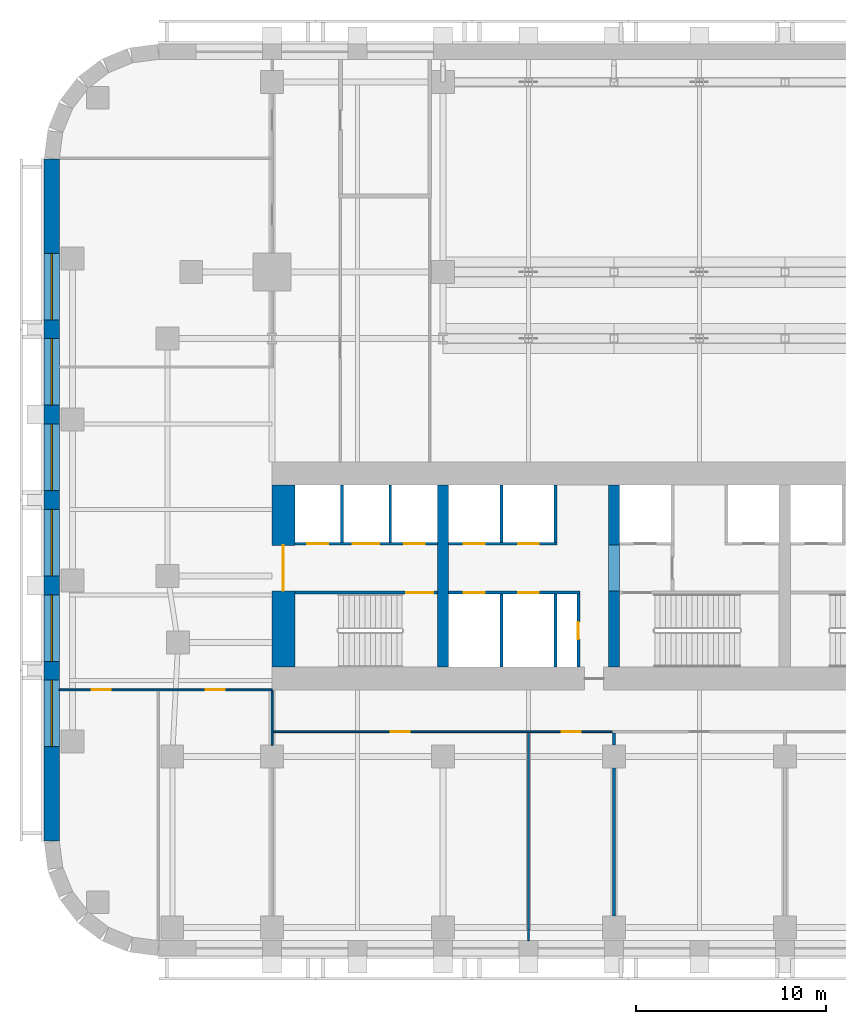
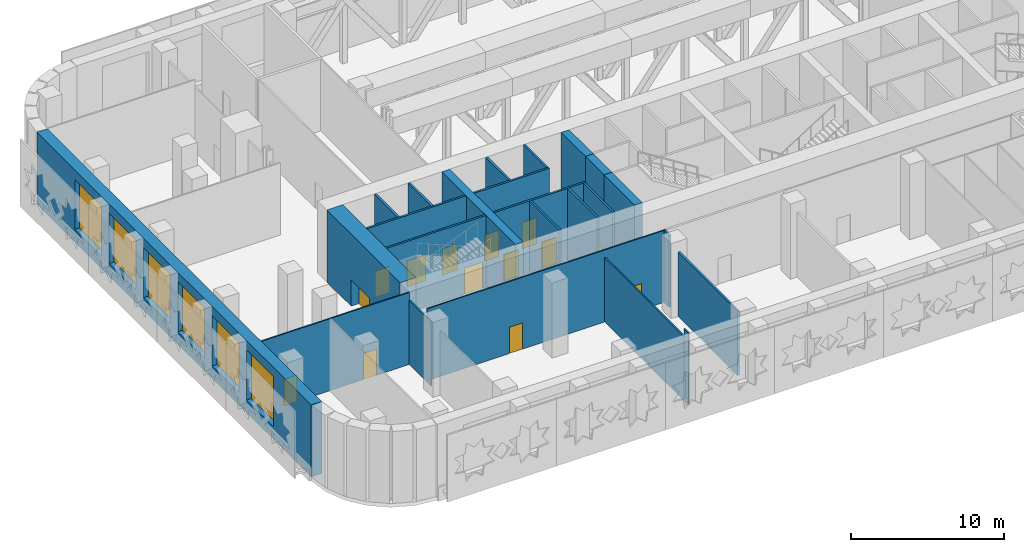
# One storey, part 5 of 15: 24 walls, 14 doors, 6 windows, 20 openings.
"""IFC4 building model written with IfcOpenShell, lengths in metres."""

from ifc_helpers import new_model, si_unit, direction, frame, frame_2d, origin, place, context, subcontext, project, spatial, rectangle, extrude, material, layer, layer_set, type_object, element, fill, save


model = new_model("IFC4")

# Units and contexts
model_context = context("Model", 3, precision=1e-05, world=origin(), true_north=direction((0.0, 1.0)))
body_context = subcontext(model_context, "Body", "Model", "MODEL_VIEW")
ifc_project = project(units=[si_unit("LENGTHUNIT", "METRE"), si_unit("AREAUNIT", "SQUARE_METRE"), si_unit("VOLUMEUNIT", "CUBIC_METRE"), si_unit("PLANEANGLEUNIT", "RADIAN"), si_unit("MASSUNIT", "GRAM", prefix="KILO")], contexts=[model_context])

# Site, building, storey
site_placement = place(None, origin())
site = spatial("IfcSite", under=ifc_project, at=site_placement, CompositionType="ELEMENT")
building_placement = place(site_placement, origin())
building = spatial("IfcBuilding", under=site, at=building_placement, Name="Zellij Exchange Tower", CompositionType="ELEMENT")
storey_placement = place(building_placement, frame((0.0, 0.0, 33.0)))
storey = spatial("IfcBuildingStorey", under=building, at=storey_placement, Name="L05", CompositionType="ELEMENT", Elevation=33.0)

# Walls
ifc_material_1 = material(Name="Concrete C70/85", Category="concrete")
ifc_layer_1 = layer(ifc_material_1, 0.60009765625)
ifc_layer_set_1 = layer_set([ifc_layer_1], Name="Concrete C70/85")
wall_type_1 = type_object("IfcWallType", Name="CORE-CW 600 C70/85", PredefinedType="SHEAR", material=ifc_layer_set_1)
wall_1_placement = place(storey_placement, frame((-18.0, -12.800048828125, 0.0), z_axis=(0.0, 0.0, 1.0), x_axis=(0.0, 1.0, 0.0)))
element("IfcWall", 1, at=wall_1_placement, inside=storey, type_object=wall_type_1, Name="Core cross wall x -18 L05", PredefinedType="SHEAR", context=body_context, shape_type="SweptSolid", body=[
    extrude(rectangle(XDim=9.60009765625, YDim=0.60009765625, at=frame_2d((4.800048828125, 0.0))), origin(), (0.0, 0.0, 1.0), 5.75),
])
wall_2_placement = place(storey_placement, frame((-9.0, -12.800048828125, 0.0), z_axis=(0.0, 0.0, 1.0), x_axis=(0.0, 1.0, 0.0)))
element("IfcWall", 2, at=wall_2_placement, inside=storey, type_object=wall_type_1, Name="Core cross wall pier x -9 a L05", PredefinedType="SHEAR", context=body_context, shape_type="SweptSolid", body=[
    extrude(rectangle(XDim=4.0, YDim=0.60009765625, at=frame_2d((2.0, 0.0))), origin(), (0.0, 0.0, 1.0), 5.75),
])
wall_3_placement = place(storey_placement, frame((-9.0, -6.375, 0.0), z_axis=(0.0, 0.0, 1.0), x_axis=(0.0, 1.0, 0.0)))
element("IfcWall", 3, at=wall_3_placement, inside=storey, type_object=wall_type_1, Name="Core cross wall pier x -9 b L05", PredefinedType="SHEAR", context=body_context, shape_type="SweptSolid", body=[
    extrude(rectangle(XDim=3.175048828125, YDim=0.60009765625, at=frame_2d((1.58740234375, 0.0))), origin(), (0.0, 0.0, 1.0), 5.75),
])
wall_4_placement = place(storey_placement, frame((-9.0, -8.800048828125, 3.60009765625), z_axis=(0.0, 0.0, 1.0), x_axis=(0.0, 1.0, 0.0)))
element("IfcWall", 4, at=wall_4_placement, inside=storey, type_object=wall_type_1, Name="Core cross wall over opening x -9 L05", PredefinedType="SHEAR", context=body_context, shape_type="SweptSolid", body=[
    extrude(rectangle(XDim=2.425048828125, YDim=0.60009765625, at=frame_2d((1.21240234375, 0.0))), origin(), (0.0, 0.0, 1.0), 2.14990234375),
])

# Wall, opening, door
ifc_material_2 = material(Name="Gypsum board partition")
ifc_layer_2 = layer(ifc_material_2, 0.14990234375)
ifc_layer_set_2 = layer_set([ifc_layer_2], Name="Gypsum board partition")
wall_type_2 = type_object("IfcWallType", Name="CORE-PW 150 Lift lobby wall", PredefinedType="PARTITIONING", material=ifc_layer_set_2)
wall_5_placement = place(storey_placement, frame((-10.875, -12.800048828125, 0.0), z_axis=(0.0, 0.0, 1.0), x_axis=(0.0, 1.0, 0.0)))
wall_5 = element("IfcWall", 5, at=wall_5_placement, inside=storey, type_object=wall_type_2, Name="Lift lobby wall L05", PredefinedType="PARTITIONING", context=body_context, shape_type="SweptSolid", body=[
    extrude(rectangle(XDim=3.85009765625, YDim=0.14990234375, at=frame_2d((1.925048828125, 0.0))), origin(), (0.0, 0.0, 1.0), 5.75),
])
opening_1_placement = place(wall_5_placement, frame((1.47509765625, 0.0, 0.0)))
opening_1 = element("IfcOpeningElement", 6, at=opening_1_placement, cuts=wall_5, Name="Opening CA-05.10", PredefinedType="OPENING", context=body_context, shape_type="SweptSolid", body=[
    extrude(rectangle(XDim=0.89990234375, YDim=2.10009765625, at=frame_2d((0.449951171875, 1.050048828125))), frame((0.0, 0.0869140625, 0.0), z_axis=(0.0, -1.0, 0.0), x_axis=(1.0, 0.0, 0.0)), (0.0, 0.0, 1.0), 0.173828125),
])
ifc_material_3 = material(Name="Hollow metal fire door")
door_type_1 = type_object("IfcDoorType", Name="CORE-D RD Riser door 900x2100 1.5 HR", OperationType="NOTDEFINED", PredefinedType="DOOR", material=ifc_material_3)
door_1_placement = place(opening_1_placement, origin())
door_1 = element("IfcDoor", 7, at=door_1_placement, inside=storey, type_object=door_type_1, Name="Riser door CA-05.10", OperationType="SINGLE_SWING_RIGHT", OverallHeight=2.10009765625, OverallWidth=0.89990234375, PredefinedType="DOOR", context=body_context, shape_type="SweptSolid", body=[
    extrude(rectangle(XDim=0.89990234375, YDim=2.10009765625, at=frame_2d((0.449951171875, 1.050048828125))), frame((0.0, 0.02490234375, 0.0), z_axis=(0.0, -1.0, 0.0), x_axis=(1.0, 0.0, 0.0)), (0.0, 0.0, 1.0), 0.050048828125),
])
fill(opening_1, door_1)

# Walls
ifc_material_4 = material(Name="Gypsum shaft wall system")
ifc_layer_3 = layer(ifc_material_4, 0.14990234375)
ifc_layer_set_3 = layer_set([ifc_layer_3], Name="Gypsum shaft wall system")
wall_type_3 = type_object("IfcWallType", Name="CORE-PW 150 Lift shaft wall", PredefinedType="PARTITIONING", material=ifc_layer_set_3)
for number, where, z_axis, x_axis, name in (
    (8, (-20.77490234375, -6.22509765625, 0.0), (0.0, 0.0, 1.0), (0.0, 1.0, 0.0), "Lift shaft wall L05"),
    (9, (-23.324951171875, -6.22509765625, 0.0), (0.0, 0.0, 1.0), (0.0, 1.0, 0.0), "Lift shaft wall L05"),
    (10, (-12.074951171875, -6.22509765625, 0.0), (0.0, 0.0, 1.0), (0.0, 1.0, 0.0), "Lift shaft wall L05"),
    (11, (-14.925048828125, -6.22509765625, 0.0), (0.0, 0.0, 1.0), (0.0, 1.0, 0.0), "Lift shaft wall L05"),
):
    element("IfcWall", number, at=place(storey_placement, frame(where, z_axis=z_axis, x_axis=x_axis)), inside=storey, type_object=wall_type_3, Name=name, PredefinedType="PARTITIONING", context=body_context, shape_type="SweptSolid", body=[
        extrude(rectangle(XDim=3.025146484375, YDim=0.14990234375, at=frame_2d((1.5126953125, 0.0))), origin(), (0.0, 0.0, 1.0), 5.75),
    ])
for number, where, z_axis, x_axis, name in (
    (12, (-12.074951171875, -12.800048828125, 0.0), (0.0, 0.0, 1.0), (0.0, 1.0, 0.0), "Lift shaft wall L05"),
    (13, (-14.925048828125, -12.800048828125, 0.0), (0.0, 0.0, 1.0), (0.0, 1.0, 0.0), "Lift shaft wall L05"),
):
    element("IfcWall", number, at=place(storey_placement, frame(where, z_axis=z_axis, x_axis=x_axis)), inside=storey, type_object=wall_type_3, Name=name, PredefinedType="PARTITIONING", context=body_context, shape_type="SweptSolid", body=[
        extrude(rectangle(XDim=3.85009765625, YDim=0.14990234375, at=frame_2d((1.925048828125, 0.0))), origin(), (0.0, 0.0, 1.0), 5.75),
    ])

# Wall, openings, doors
wall_6_placement = place(storey_placement, frame((-25.800048828125, -6.300048828125, 0.0), z_axis=(0.0, 0.0, 1.0), x_axis=(1.0, 0.0, 0.0)))
wall_6 = element("IfcWall", 14, at=wall_6_placement, inside=storey, type_object=wall_type_3, Name="Lift shaft wall L05", PredefinedType="PARTITIONING", context=body_context, shape_type="SweptSolid", body=[
    extrude(rectangle(XDim=7.5, YDim=0.14990234375, at=frame_2d((3.75, 0.0))), origin(), (0.0, 0.0, 1.0), 5.75),
])
opening_2_placement = place(wall_6_placement, frame((0.64990234375, 0.0, 0.0)))
opening_2 = element("IfcOpeningElement", 15, at=opening_2_placement, cuts=wall_6, Name="Opening CA-05.02", PredefinedType="OPENING", context=body_context, shape_type="SweptSolid", body=[
    extrude(rectangle(XDim=1.10009765625, YDim=2.10009765625, at=frame_2d((0.550048828125, 1.050048828125))), frame((0.0, 0.0869140625, 0.0), z_axis=(0.0, -1.0, 0.0), x_axis=(1.0, 0.0, 0.0)), (0.0, 0.0, 1.0), 0.173828125),
])
opening_3_placement = place(wall_6_placement, frame((3.050048828125, 0.0, 0.0)))
opening_3 = element("IfcOpeningElement", 16, at=opening_3_placement, cuts=wall_6, Name="Opening CA-05.03", PredefinedType="OPENING", context=body_context, shape_type="SweptSolid", body=[
    extrude(rectangle(XDim=1.39990234375, YDim=2.10009765625, at=frame_2d((0.699951171875, 1.050048828125))), frame((0.0, 0.0869140625, 0.0), z_axis=(0.0, -1.0, 0.0), x_axis=(1.0, 0.0, 0.0)), (0.0, 0.0, 1.0), 0.173828125),
])
opening_4_placement = place(wall_6_placement, frame((5.75, 0.0, 0.0)))
opening_4 = element("IfcOpeningElement", 17, at=opening_4_placement, cuts=wall_6, Name="Opening CA-05.04", PredefinedType="OPENING", context=body_context, shape_type="SweptSolid", body=[
    extrude(rectangle(XDim=1.10009765625, YDim=2.10009765625, at=frame_2d((0.550048828125, 1.050048828125))), frame((0.0, 0.0869140625, 0.0), z_axis=(0.0, -1.0, 0.0), x_axis=(1.0, 0.0, 0.0)), (0.0, 0.0, 1.0), 0.173828125),
])
door_type_2 = type_object("IfcDoorType", Name="CORE-D LD Lift landing door 1100x2100 1.5 HR", OperationType="NOTDEFINED", PredefinedType="DOOR", material=ifc_material_3)
door_2_placement = place(opening_2_placement, origin())
door_2 = element("IfcDoor", 18, at=door_2_placement, inside=storey, type_object=door_type_2, Name="Lift landing door CA-05.02", OperationType="SLIDING_TO_RIGHT", OverallHeight=2.10009765625, OverallWidth=1.10009765625, PredefinedType="DOOR", context=body_context, shape_type="SweptSolid", body=[
    extrude(rectangle(XDim=1.10009765625, YDim=2.10009765625, at=frame_2d((0.550048828125, 1.050048828125))), frame((0.0, 0.02490234375, 0.0), z_axis=(0.0, -1.0, 0.0), x_axis=(1.0, 0.0, 0.0)), (0.0, 0.0, 1.0), 0.050048828125),
])
fill(opening_2, door_2)
door_3_placement = place(opening_4_placement, origin())
door_3 = element("IfcDoor", 19, at=door_3_placement, inside=storey, type_object=door_type_2, Name="Lift landing door CA-05.04", OperationType="SLIDING_TO_RIGHT", OverallHeight=2.10009765625, OverallWidth=1.10009765625, PredefinedType="DOOR", context=body_context, shape_type="SweptSolid", body=[
    extrude(rectangle(XDim=1.10009765625, YDim=2.10009765625, at=frame_2d((0.550048828125, 1.050048828125))), frame((0.0, 0.02490234375, 0.0), z_axis=(0.0, -1.0, 0.0), x_axis=(1.0, 0.0, 0.0)), (0.0, 0.0, 1.0), 0.050048828125),
])
fill(opening_4, door_3)
door_type_3 = type_object("IfcDoorType", Name="CORE-D LD2 Service lift landing door 1400x2100 1.5 HR", OperationType="NOTDEFINED", PredefinedType="DOOR", material=ifc_material_3)
door_4_placement = place(opening_3_placement, origin())
door_4 = element("IfcDoor", 20, at=door_4_placement, inside=storey, type_object=door_type_3, Name="Service lift landing door CA-05.03", OperationType="SLIDING_TO_LEFT", OverallHeight=2.10009765625, OverallWidth=1.39990234375, PredefinedType="DOOR", context=body_context, shape_type="SweptSolid", body=[
    extrude(rectangle(XDim=1.39990234375, YDim=2.10009765625, at=frame_2d((0.699951171875, 1.050048828125))), frame((0.0, 0.02490234375, 0.0), z_axis=(0.0, -1.0, 0.0), x_axis=(1.0, 0.0, 0.0)), (0.0, 0.0, 1.0), 0.050048828125),
])
fill(opening_3, door_4)

wall_7_placement = place(storey_placement, frame((-17.699951171875, -6.300048828125, 0.0), z_axis=(0.0, 0.0, 1.0), x_axis=(1.0, 0.0, 0.0)))
wall_7 = element("IfcWall", 21, at=wall_7_placement, inside=storey, type_object=wall_type_3, Name="Lift shaft wall L05", PredefinedType="PARTITIONING", context=body_context, shape_type="SweptSolid", body=[
    extrude(rectangle(XDim=5.699951171875, YDim=0.14990234375, at=frame_2d((2.85009765625, 0.0))), origin(), (0.0, 0.0, 1.0), 5.75),
])
opening_5_placement = place(wall_7_placement, frame((0.800048828125, 0.0, 0.0)))
opening_5 = element("IfcOpeningElement", 22, at=opening_5_placement, cuts=wall_7, Name="Opening CA-05.07", PredefinedType="OPENING", context=body_context, shape_type="SweptSolid", body=[
    extrude(rectangle(XDim=1.10009765625, YDim=2.10009765625, at=frame_2d((0.550048828125, 1.050048828125))), frame((0.0, 0.0869140625, 0.0), z_axis=(0.0, -1.0, 0.0), x_axis=(1.0, 0.0, 0.0)), (0.0, 0.0, 1.0), 0.173828125),
])
opening_6_placement = place(wall_7_placement, frame((3.64990234375, 0.0, 0.0)))
opening_6 = element("IfcOpeningElement", 23, at=opening_6_placement, cuts=wall_7, Name="Opening CA-05.09", PredefinedType="OPENING", context=body_context, shape_type="SweptSolid", body=[
    extrude(rectangle(XDim=1.10009765625, YDim=2.10009765625, at=frame_2d((0.550048828125, 1.050048828125))), frame((0.0, 0.0869140625, 0.0), z_axis=(0.0, -1.0, 0.0), x_axis=(1.0, 0.0, 0.0)), (0.0, 0.0, 1.0), 0.173828125),
])
door_5_placement = place(opening_5_placement, origin())
door_5 = element("IfcDoor", 24, at=door_5_placement, inside=storey, type_object=door_type_2, Name="Lift landing door CA-05.07", OperationType="SLIDING_TO_LEFT", OverallHeight=2.10009765625, OverallWidth=1.10009765625, PredefinedType="DOOR", context=body_context, shape_type="SweptSolid", body=[
    extrude(rectangle(XDim=1.10009765625, YDim=2.10009765625, at=frame_2d((0.550048828125, 1.050048828125))), frame((0.0, 0.02490234375, 0.0), z_axis=(0.0, -1.0, 0.0), x_axis=(1.0, 0.0, 0.0)), (0.0, 0.0, 1.0), 0.050048828125),
])
fill(opening_5, door_5)
door_6_placement = place(opening_6_placement, origin())
door_6 = element("IfcDoor", 25, at=door_6_placement, inside=storey, type_object=door_type_2, Name="Lift landing door CA-05.09", OperationType="SLIDING_TO_LEFT", OverallHeight=2.10009765625, OverallWidth=1.10009765625, PredefinedType="DOOR", context=body_context, shape_type="SweptSolid", body=[
    extrude(rectangle(XDim=1.10009765625, YDim=2.10009765625, at=frame_2d((0.550048828125, 1.050048828125))), frame((0.0, 0.02490234375, 0.0), z_axis=(0.0, -1.0, 0.0), x_axis=(1.0, 0.0, 0.0)), (0.0, 0.0, 1.0), 0.050048828125),
])
fill(opening_6, door_6)

wall_8_placement = place(storey_placement, frame((-17.699951171875, -8.875, 0.0), z_axis=(0.0, 0.0, 1.0), x_axis=(1.0, 0.0, 0.0)))
wall_8 = element("IfcWall", 26, at=wall_8_placement, inside=storey, type_object=wall_type_3, Name="Lift shaft wall L05", PredefinedType="PARTITIONING", context=body_context, shape_type="SweptSolid", body=[
    extrude(rectangle(XDim=6.89990234375, YDim=0.14990234375, at=frame_2d((3.449951171875, 0.0))), origin(), (0.0, 0.0, 1.0), 5.75),
])
opening_7_placement = place(wall_8_placement, frame((0.800048828125, 0.0, 0.0)))
opening_7 = element("IfcOpeningElement", 27, at=opening_7_placement, cuts=wall_8, Name="Opening CA-05.06", PredefinedType="OPENING", context=body_context, shape_type="SweptSolid", body=[
    extrude(rectangle(XDim=1.10009765625, YDim=2.10009765625, at=frame_2d((0.550048828125, 1.050048828125))), frame((0.0, 0.0869140625, 0.0), z_axis=(0.0, -1.0, 0.0), x_axis=(1.0, 0.0, 0.0)), (0.0, 0.0, 1.0), 0.173828125),
])
opening_8_placement = place(wall_8_placement, frame((3.64990234375, 0.0, 0.0)))
opening_8 = element("IfcOpeningElement", 28, at=opening_8_placement, cuts=wall_8, Name="Opening CA-05.08", PredefinedType="OPENING", context=body_context, shape_type="SweptSolid", body=[
    extrude(rectangle(XDim=1.10009765625, YDim=2.10009765625, at=frame_2d((0.550048828125, 1.050048828125))), frame((0.0, 0.0869140625, 0.0), z_axis=(0.0, -1.0, 0.0), x_axis=(1.0, 0.0, 0.0)), (0.0, 0.0, 1.0), 0.173828125),
])
door_7_placement = place(opening_7_placement, origin())
door_7 = element("IfcDoor", 29, at=door_7_placement, inside=storey, type_object=door_type_2, Name="Lift landing door CA-05.06", OperationType="SLIDING_TO_RIGHT", OverallHeight=2.10009765625, OverallWidth=1.10009765625, PredefinedType="DOOR", context=body_context, shape_type="SweptSolid", body=[
    extrude(rectangle(XDim=1.10009765625, YDim=2.10009765625, at=frame_2d((0.550048828125, 1.050048828125))), frame((0.0, 0.02490234375, 0.0), z_axis=(0.0, -1.0, 0.0), x_axis=(1.0, 0.0, 0.0)), (0.0, 0.0, 1.0), 0.050048828125),
])
fill(opening_7, door_7)
door_8_placement = place(opening_8_placement, origin())
door_8 = element("IfcDoor", 30, at=door_8_placement, inside=storey, type_object=door_type_2, Name="Lift landing door CA-05.08", OperationType="SLIDING_TO_RIGHT", OverallHeight=2.10009765625, OverallWidth=1.10009765625, PredefinedType="DOOR", context=body_context, shape_type="SweptSolid", body=[
    extrude(rectangle(XDim=1.10009765625, YDim=2.10009765625, at=frame_2d((0.550048828125, 1.050048828125))), frame((0.0, 0.02490234375, 0.0), z_axis=(0.0, -1.0, 0.0), x_axis=(1.0, 0.0, 0.0)), (0.0, 0.0, 1.0), 0.050048828125),
])
fill(opening_8, door_8)

# Wall, opening, door
ifc_layer_4 = layer(ifc_material_1, 1.199951171875)
ifc_layer_set_4 = layer_set([ifc_layer_4], Name="Concrete C70/85")
wall_type_4 = type_object("IfcWallType", Name="CORE-SW 1200 C70/85", PredefinedType="SHEAR", material=ifc_layer_set_4)
wall_9_placement = place(storey_placement, frame((-26.39990234375, -12.800048828125, 0.0), z_axis=(0.0, 0.0, 1.0), x_axis=(0.0, 1.0, 0.0)))
wall_9 = element("IfcWall", 31, at=wall_9_placement, inside=storey, type_object=wall_type_4, Name="Core shear wall end w L05", PredefinedType="SHEAR", context=body_context, shape_type="SweptSolid", body=[
    extrude(rectangle(XDim=9.60009765625, YDim=1.199951171875, at=frame_2d((4.800048828125, 0.0))), origin(), (0.0, 0.0, 1.0), 5.75),
])
opening_9_placement = place(wall_9_placement, frame((4.011962890625, 0.0, 0.0)))
opening_9 = element("IfcOpeningElement", 32, at=opening_9_placement, cuts=wall_9, Name="Opening CA-05.01", PredefinedType="OPENING", context=body_context, shape_type="SweptSolid", body=[
    extrude(rectangle(XDim=2.39990234375, YDim=2.10009765625, at=frame_2d((1.199951171875, 1.050048828125))), frame((0.0, 0.61181640625, 0.0), z_axis=(0.0, -1.0, 0.0), x_axis=(1.0, 0.0, 0.0)), (0.0, 0.0, 1.0), 1.223876953125),
])
door_type_4 = type_object("IfcDoorType", Name="CORE-D CE Core entrance door 2400x2100 20 MIN", OperationType="NOTDEFINED", PredefinedType="DOOR", material=ifc_material_3)
door_9_placement = place(opening_9_placement, origin())
door_9 = element("IfcDoor", 33, at=door_9_placement, inside=storey, type_object=door_type_4, Name="Core entrance door CA-05.01", OperationType="DOUBLE_DOOR_SINGLE_SWING", OverallHeight=2.10009765625, OverallWidth=2.39990234375, PredefinedType="DOOR", context=body_context, shape_type="SweptSolid", body=[
    extrude(rectangle(XDim=2.39990234375, YDim=2.10009765625, at=frame_2d((1.199951171875, 1.050048828125))), frame((0.0, 0.02490234375, 0.0), z_axis=(0.0, -1.0, 0.0), x_axis=(1.0, 0.0, 0.0)), (0.0, 0.0, 1.0), 0.050048828125),
])
fill(opening_9, door_9)

ifc_layer_5 = layer(ifc_material_1, 0.14990234375)
ifc_layer_set_5 = layer_set([ifc_layer_5], Name="Concrete C70/85")
wall_type_5 = type_object("IfcWallType", Name="CORE-SWS 150 C70/85", PredefinedType="SHEAR", material=ifc_layer_set_5)
wall_10_placement = place(storey_placement, frame((-25.800048828125, -8.875, 0.0), z_axis=(0.0, 0.0, 1.0), x_axis=(1.0, 0.0, 0.0)))
wall_10 = element("IfcWall", 34, at=wall_10_placement, inside=storey, type_object=wall_type_5, Name="Stair enclosure wall L05", PredefinedType="SHEAR", context=body_context, shape_type="SweptSolid", body=[
    extrude(rectangle(XDim=7.5, YDim=0.14990234375, at=frame_2d((3.75, 0.0))), origin(), (0.0, 0.0, 1.0), 5.75),
])
opening_10_placement = place(wall_10_placement, frame((5.875, 0.0, 0.0)))
opening_10 = element("IfcOpeningElement", 35, at=opening_10_placement, cuts=wall_10, Name="Opening CA-05.05", PredefinedType="OPENING", context=body_context, shape_type="SweptSolid", body=[
    extrude(rectangle(XDim=1.39990234375, YDim=2.10009765625, at=frame_2d((0.699951171875, 1.050048828125))), frame((0.0, 0.0869140625, 0.0), z_axis=(0.0, -1.0, 0.0), x_axis=(1.0, 0.0, 0.0)), (0.0, 0.0, 1.0), 0.173828125),
])
door_type_5 = type_object("IfcDoorType", Name="CORE-D SD Stair door 1400x2100 1.5 HR", OperationType="NOTDEFINED", PredefinedType="DOOR", material=ifc_material_3)
door_10_placement = place(opening_10_placement, origin())
door_10 = element("IfcDoor", 36, at=door_10_placement, inside=storey, type_object=door_type_5, Name="Stair door CA-05.05", OperationType="DOUBLE_DOOR_SINGLE_SWING", OverallHeight=2.10009765625, OverallWidth=1.39990234375, PredefinedType="DOOR", context=body_context, shape_type="SweptSolid", body=[
    extrude(rectangle(XDim=1.39990234375, YDim=2.10009765625, at=frame_2d((0.699951171875, 1.050048828125))), frame((0.0, 0.02490234375, 0.0), z_axis=(0.0, -1.0, 0.0), x_axis=(1.0, 0.0, 0.0)), (0.0, 0.0, 1.0), 0.050048828125),
])
fill(opening_10, door_10)

# Wall, openings, windows
ifc_material_5 = material(Name="Precast concrete C40/50", Category="concrete")
ifc_layer_6 = layer(ifc_material_5, 0.800048828125)
ifc_layer_set_6 = layer_set([ifc_layer_6], Name="Precast concrete C40/50")
wall_type_6 = type_object("IfcWallType", Name="ENV-EW1 Precast stone-piered wall 800", PredefinedType="SOLIDWALL", material=ifc_layer_set_6)
wall_11_placement = place(storey_placement, frame((-38.60009765625, 13.947509765625, 0.0), z_axis=(0.0, 0.0, 1.0), x_axis=(0.0, -1.0, 0.0)))
wall_11 = element("IfcWall", 37, at=wall_11_placement, inside=storey, type_object=wall_type_6, Name="fac.L05.21", PredefinedType="SOLIDWALL", context=body_context, shape_type="SweptSolid", body=[
    extrude(rectangle(XDim=35.89501953125, YDim=0.800048828125, at=frame_2d((17.947509765625, 0.0))), origin(), (0.0, 0.0, 1.0), 5.75),
])
opening_11_placement = place(wall_11_placement, frame((4.9638671875, 0.0, 1.0)))
opening_11 = element("IfcOpeningElement", 38, at=opening_11_placement, cuts=wall_11, Name="Opening FP.27", PredefinedType="OPENING", context=body_context, shape_type="SweptSolid", body=[
    extrude(rectangle(XDim=3.5, YDim=4.0, at=frame_2d((1.75, 2.0))), frame((0.0, 0.412109375, 0.0), z_axis=(0.0, -1.0, 0.0), x_axis=(1.0, 0.0, 0.0)), (0.0, 0.0, 1.0), 0.823974609375),
])
opening_12_placement = place(wall_11_placement, frame((9.45751953125, 0.0, 1.0)))
opening_12 = element("IfcOpeningElement", 39, at=opening_12_placement, cuts=wall_11, Name="Opening FP.28", PredefinedType="OPENING", context=body_context, shape_type="SweptSolid", body=[
    extrude(rectangle(XDim=3.5, YDim=4.0, at=frame_2d((1.75, 2.0))), frame((0.0, 0.412109375, 0.0), z_axis=(0.0, -1.0, 0.0), x_axis=(1.0, 0.0, 0.0)), (0.0, 0.0, 1.0), 0.823974609375),
])
opening_13_placement = place(wall_11_placement, frame((13.950927734375, 0.0, 1.0)))
opening_13 = element("IfcOpeningElement", 40, at=opening_13_placement, cuts=wall_11, Name="Opening FP.29", PredefinedType="OPENING", context=body_context, shape_type="SweptSolid", body=[
    extrude(rectangle(XDim=3.5, YDim=4.0, at=frame_2d((1.75, 2.0))), frame((0.0, 0.412109375, 0.0), z_axis=(0.0, -1.0, 0.0), x_axis=(1.0, 0.0, 0.0)), (0.0, 0.0, 1.0), 0.823974609375),
])
opening_14_placement = place(wall_11_placement, frame((18.4443359375, 0.0, 1.0)))
opening_14 = element("IfcOpeningElement", 41, at=opening_14_placement, cuts=wall_11, Name="Opening FP.30", PredefinedType="OPENING", context=body_context, shape_type="SweptSolid", body=[
    extrude(rectangle(XDim=3.5, YDim=4.0, at=frame_2d((1.75, 2.0))), frame((0.0, 0.412109375, 0.0), z_axis=(0.0, -1.0, 0.0), x_axis=(1.0, 0.0, 0.0)), (0.0, 0.0, 1.0), 0.823974609375),
])
opening_15_placement = place(wall_11_placement, frame((22.937744140625, 0.0, 1.0)))
opening_15 = element("IfcOpeningElement", 42, at=opening_15_placement, cuts=wall_11, Name="Opening FP.31", PredefinedType="OPENING", context=body_context, shape_type="SweptSolid", body=[
    extrude(rectangle(XDim=3.5, YDim=4.0, at=frame_2d((1.75, 2.0))), frame((0.0, 0.412109375, 0.0), z_axis=(0.0, -1.0, 0.0), x_axis=(1.0, 0.0, 0.0)), (0.0, 0.0, 1.0), 0.823974609375),
])
opening_16_placement = place(wall_11_placement, frame((27.43115234375, 0.0, 1.0)))
opening_16 = element("IfcOpeningElement", 43, at=opening_16_placement, cuts=wall_11, Name="Opening FP.32", PredefinedType="OPENING", context=body_context, shape_type="SweptSolid", body=[
    extrude(rectangle(XDim=3.5, YDim=4.0, at=frame_2d((1.75, 2.0))), frame((0.0, 0.412109375, 0.0), z_axis=(0.0, -1.0, 0.0), x_axis=(1.0, 0.0, 0.0)), (0.0, 0.0, 1.0), 0.823974609375),
])
ifc_material_6 = material(Name="Aluminium frame with insulating glass", Category="aluminium")
window_type = type_object("IfcWindowType", Name="ENV-W2 Window 3500x4000", PartitioningType="SINGLE_PANEL", PredefinedType="WINDOW", material=ifc_material_6)
window_1_placement = place(opening_11_placement, origin())
window_1 = element("IfcWindow", 44, at=window_1_placement, inside=storey, type_object=window_type, Name="Window FP.27", OverallHeight=4.0, OverallWidth=3.5, PartitioningType="SINGLE_PANEL", PredefinedType="WINDOW", context=body_context, shape_type="SweptSolid", body=[
    extrude(rectangle(XDim=3.5, YDim=4.0, at=frame_2d((1.75, 2.0))), frame((0.0, 0.030029296875, 0.0), z_axis=(0.0, -1.0, 0.0), x_axis=(1.0, 0.0, 0.0)), (0.0, 0.0, 1.0), 0.06005859375),
])
fill(opening_11, window_1)
window_2_placement = place(opening_12_placement, origin())
window_2 = element("IfcWindow", 45, at=window_2_placement, inside=storey, type_object=window_type, Name="Window FP.28", OverallHeight=4.0, OverallWidth=3.5, PartitioningType="SINGLE_PANEL", PredefinedType="WINDOW", context=body_context, shape_type="SweptSolid", body=[
    extrude(rectangle(XDim=3.5, YDim=4.0, at=frame_2d((1.75, 2.0))), frame((0.0, 0.030029296875, 0.0), z_axis=(0.0, -1.0, 0.0), x_axis=(1.0, 0.0, 0.0)), (0.0, 0.0, 1.0), 0.06005859375),
])
fill(opening_12, window_2)
window_3_placement = place(opening_13_placement, origin())
window_3 = element("IfcWindow", 46, at=window_3_placement, inside=storey, type_object=window_type, Name="Window FP.29", OverallHeight=4.0, OverallWidth=3.5, PartitioningType="SINGLE_PANEL", PredefinedType="WINDOW", context=body_context, shape_type="SweptSolid", body=[
    extrude(rectangle(XDim=3.5, YDim=4.0, at=frame_2d((1.75, 2.0))), frame((0.0, 0.030029296875, 0.0), z_axis=(0.0, -1.0, 0.0), x_axis=(1.0, 0.0, 0.0)), (0.0, 0.0, 1.0), 0.06005859375),
])
fill(opening_13, window_3)
window_4_placement = place(opening_14_placement, origin())
window_4 = element("IfcWindow", 47, at=window_4_placement, inside=storey, type_object=window_type, Name="Window FP.30", OverallHeight=4.0, OverallWidth=3.5, PartitioningType="SINGLE_PANEL", PredefinedType="WINDOW", context=body_context, shape_type="SweptSolid", body=[
    extrude(rectangle(XDim=3.5, YDim=4.0, at=frame_2d((1.75, 2.0))), frame((0.0, 0.030029296875, 0.0), z_axis=(0.0, -1.0, 0.0), x_axis=(1.0, 0.0, 0.0)), (0.0, 0.0, 1.0), 0.06005859375),
])
fill(opening_14, window_4)
window_5_placement = place(opening_15_placement, origin())
window_5 = element("IfcWindow", 48, at=window_5_placement, inside=storey, type_object=window_type, Name="Window FP.31", OverallHeight=4.0, OverallWidth=3.5, PartitioningType="SINGLE_PANEL", PredefinedType="WINDOW", context=body_context, shape_type="SweptSolid", body=[
    extrude(rectangle(XDim=3.5, YDim=4.0, at=frame_2d((1.75, 2.0))), frame((0.0, 0.030029296875, 0.0), z_axis=(0.0, -1.0, 0.0), x_axis=(1.0, 0.0, 0.0)), (0.0, 0.0, 1.0), 0.06005859375),
])
fill(opening_15, window_5)
window_6_placement = place(opening_16_placement, origin())
window_6 = element("IfcWindow", 49, at=window_6_placement, inside=storey, type_object=window_type, Name="Window FP.32", OverallHeight=4.0, OverallWidth=3.5, PartitioningType="SINGLE_PANEL", PredefinedType="WINDOW", context=body_context, shape_type="SweptSolid", body=[
    extrude(rectangle(XDim=3.5, YDim=4.0, at=frame_2d((1.75, 2.0))), frame((0.0, 0.030029296875, 0.0), z_axis=(0.0, -1.0, 0.0), x_axis=(1.0, 0.0, 0.0)), (0.0, 0.0, 1.0), 0.06005859375),
])
fill(opening_16, window_6)

# Walls
ifc_material_7 = material(Name="Gypsum board partition on steel studs", Category="steel")
ifc_layer_7 = layer(ifc_material_7, 0.10009765625)
ifc_layer_set_7 = layer_set([ifc_layer_7], Name="Gypsum board partition on steel studs")
wall_type_7 = type_object("IfcWallType", Name="FIT-PARTITION-100", PredefinedType="PARTITIONING", material=ifc_layer_set_7)
wall_12_placement = place(storey_placement, frame((-27.0, -16.89990234375, 0.0), z_axis=(0.0, 0.0, 1.0), x_axis=(0.0, 1.0, 0.0)))
element("IfcWall", 50, at=wall_12_placement, inside=storey, type_object=wall_type_7, Name="FIT-PARTITION-100 002", PredefinedType="PARTITIONING", context=body_context, shape_type="SweptSolid", body=[
    extrude(rectangle(XDim=2.849853515625, YDim=0.10009765625, at=frame_2d((1.4248046875, 0.0))), origin(), (0.0, 0.0, 1.0), 5.137939453125),
])
wall_13_placement = place(storey_placement, frame((-13.5, -27.199951171875, 0.0), z_axis=(0.0, 0.0, 1.0), x_axis=(0.0, 1.0, 0.0)))
element("IfcWall", 51, at=wall_13_placement, inside=storey, type_object=wall_type_7, Name="FIT-PARTITION-100 003", PredefinedType="PARTITIONING", context=body_context, shape_type="SweptSolid", body=[
    extrude(rectangle(XDim=0.58544921875, YDim=0.10009765625, at=frame_2d((0.292724609375, 0.0))), origin(), (0.0, 0.0, 1.0), 5.75),
])
wall_14_placement = place(storey_placement, frame((-13.5, -26.614501953125, 0.0), z_axis=(0.0, 0.0, 1.0), x_axis=(0.0, 1.0, 0.0)))
element("IfcWall", 52, at=wall_14_placement, inside=storey, type_object=wall_type_7, Name="FIT-PARTITION-100 004", PredefinedType="PARTITIONING", context=body_context, shape_type="SweptSolid", body=[
    extrude(rectangle(XDim=10.364501953125, YDim=0.10009765625, at=frame_2d((5.18212890625, 0.0))), origin(), (0.0, 0.0, 1.0), 5.137939453125),
])

# Wall, openings, doors
wall_15_placement = place(storey_placement, frame((-26.949951171875, -16.199951171875, 0.0), z_axis=(0.0, 0.0, 1.0), x_axis=(1.0, 0.0, 0.0)))
wall_15 = element("IfcWall", 53, at=wall_15_placement, inside=storey, type_object=wall_type_7, Name="FIT-PARTITION-100 018", PredefinedType="PARTITIONING", context=body_context, shape_type="SweptSolid", body=[
    extrude(rectangle(XDim=18.02490234375, YDim=0.10009765625, at=frame_2d((9.012451171875, 0.0))), origin(), (0.0, 0.0, 1.0), 5.75),
])
opening_17_placement = place(wall_15_placement, frame((6.199951171875, 0.0, 0.0)))
opening_17 = element("IfcOpeningElement", 54, at=opening_17_placement, cuts=wall_15, Name="Opening P5.04", PredefinedType="OPENING", context=body_context, shape_type="SweptSolid", body=[
    extrude(rectangle(XDim=1.0, YDim=2.10009765625, at=frame_2d((0.5, 1.050048828125))), frame((0.0, 0.06201171875, 0.0), z_axis=(0.0, -1.0, 0.0), x_axis=(1.0, 0.0, 0.0)), (0.0, 0.0, 1.0), 0.1240234375),
])
opening_18_placement = place(wall_15_placement, frame((15.199951171875, 0.0, 0.0)))
opening_18 = element("IfcOpeningElement", 55, at=opening_18_placement, cuts=wall_15, Name="Opening P5.05", PredefinedType="OPENING", context=body_context, shape_type="SweptSolid", body=[
    extrude(rectangle(XDim=1.0, YDim=2.10009765625, at=frame_2d((0.5, 1.050048828125))), frame((0.0, 0.06201171875, 0.0), z_axis=(0.0, -1.0, 0.0), x_axis=(1.0, 0.0, 0.0)), (0.0, 0.0, 1.0), 0.1240234375),
])
ifc_material_8 = material(Name="Timber door set", Category="wood")
door_type_6 = type_object("IfcDoorType", Name="FIT-D2-WIDE-1000X2100", OperationType="SINGLE_SWING_LEFT", PredefinedType="DOOR", material=ifc_material_8)
door_11_placement = place(opening_17_placement, origin())
door_11 = element("IfcDoor", 56, at=door_11_placement, inside=storey, type_object=door_type_6, Name="Door P5.04", OperationType="SINGLE_SWING_RIGHT", OverallHeight=2.10009765625, OverallWidth=1.0, PredefinedType="DOOR", context=body_context, shape_type="SweptSolid", body=[
    extrude(rectangle(XDim=1.0, YDim=2.10009765625, at=frame_2d((0.5, 1.050048828125))), frame((0.0, 0.02490234375, 0.0), z_axis=(0.0, -1.0, 0.0), x_axis=(1.0, 0.0, 0.0)), (0.0, 0.0, 1.0), 0.050048828125),
])
fill(opening_17, door_11)
door_12_placement = place(opening_18_placement, origin())
door_12 = element("IfcDoor", 57, at=door_12_placement, inside=storey, type_object=door_type_6, Name="Door P5.05", OperationType="SINGLE_SWING_RIGHT", OverallHeight=2.10009765625, OverallWidth=1.0, PredefinedType="DOOR", context=body_context, shape_type="SweptSolid", body=[
    extrude(rectangle(XDim=1.0, YDim=2.10009765625, at=frame_2d((0.5, 1.050048828125))), frame((0.0, 0.02490234375, 0.0), z_axis=(0.0, -1.0, 0.0), x_axis=(1.0, 0.0, 0.0)), (0.0, 0.0, 1.0), 0.050048828125),
])
fill(opening_18, door_12)

wall_16_placement = place(storey_placement, frame((-38.199951171875, -14.0, 0.0), z_axis=(0.0, 0.0, 1.0), x_axis=(1.0, 0.0, 0.0)))
wall_16 = element("IfcWall", 58, at=wall_16_placement, inside=storey, type_object=wall_type_7, Name="FIT-PARTITION-100 023", PredefinedType="PARTITIONING", context=body_context, shape_type="SweptSolid", body=[
    extrude(rectangle(XDim=11.199951171875, YDim=0.10009765625, at=frame_2d((5.60009765625, 0.0))), origin(), (0.0, 0.0, 1.0), 5.75),
])
opening_19_placement = place(wall_16_placement, frame((1.699951171875, 0.0, 0.0)))
opening_19 = element("IfcOpeningElement", 59, at=opening_19_placement, cuts=wall_16, Name="Opening P5.10", PredefinedType="OPENING", context=body_context, shape_type="SweptSolid", body=[
    extrude(rectangle(XDim=1.0, YDim=2.10009765625, at=frame_2d((0.5, 1.050048828125))), frame((0.0, 0.06201171875, 0.0), z_axis=(0.0, -1.0, 0.0), x_axis=(1.0, 0.0, 0.0)), (0.0, 0.0, 1.0), 0.1240234375),
])
opening_20_placement = place(wall_16_placement, frame((7.699951171875, 0.0, 0.0)))
opening_20 = element("IfcOpeningElement", 60, at=opening_20_placement, cuts=wall_16, Name="Opening P5.11", PredefinedType="OPENING", context=body_context, shape_type="SweptSolid", body=[
    extrude(rectangle(XDim=1.0, YDim=2.10009765625, at=frame_2d((0.5, 1.050048828125))), frame((0.0, 0.06201171875, 0.0), z_axis=(0.0, -1.0, 0.0), x_axis=(1.0, 0.0, 0.0)), (0.0, 0.0, 1.0), 0.1240234375),
])
door_13_placement = place(opening_19_placement, origin())
door_13 = element("IfcDoor", 61, at=door_13_placement, inside=storey, type_object=door_type_6, Name="Door P5.10", OperationType="SINGLE_SWING_RIGHT", OverallHeight=2.10009765625, OverallWidth=1.0, PredefinedType="DOOR", context=body_context, shape_type="SweptSolid", body=[
    extrude(rectangle(XDim=1.0, YDim=2.10009765625, at=frame_2d((0.5, 1.050048828125))), frame((0.0, 0.02490234375, 0.0), z_axis=(0.0, -1.0, 0.0), x_axis=(1.0, 0.0, 0.0)), (0.0, 0.0, 1.0), 0.050048828125),
])
fill(opening_19, door_13)
door_14_placement = place(opening_20_placement, origin())
door_14 = element("IfcDoor", 62, at=door_14_placement, inside=storey, type_object=door_type_6, Name="Door P5.11", OperationType="SINGLE_SWING_RIGHT", OverallHeight=2.10009765625, OverallWidth=1.0, PredefinedType="DOOR", context=body_context, shape_type="SweptSolid", body=[
    extrude(rectangle(XDim=1.0, YDim=2.10009765625, at=frame_2d((0.5, 1.050048828125))), frame((0.0, 0.02490234375, 0.0), z_axis=(0.0, -1.0, 0.0), x_axis=(1.0, 0.0, 0.0)), (0.0, 0.0, 1.0), 0.050048828125),
])
fill(opening_20, door_14)

# Walls
ifc_material_9 = material(Name="Gypsum board shaft-wall partition", Category="gypsum")
ifc_layer_8 = layer(ifc_material_9, 0.14990234375)
ifc_layer_set_8 = layer_set([ifc_layer_8], Name="Gypsum board shaft-wall partition")
wall_type_8 = type_object("IfcWallType", Name="FIT-PARTITION-150-EI60", PredefinedType="PARTITIONING", material=ifc_layer_set_8)
wall_17_placement = place(storey_placement, frame((-9.0, -25.89990234375, 0.0), z_axis=(0.0, 0.0, 1.0), x_axis=(0.0, 1.0, 0.0)))
element("IfcWall", 63, at=wall_17_placement, inside=storey, type_object=wall_type_8, Name="FIT-PARTITION-150-EI60 005", PredefinedType="PARTITIONING", context=body_context, shape_type="SweptSolid", body=[
    extrude(rectangle(XDim=7.7998046875, YDim=0.14990234375, at=frame_2d((3.89990234375, 0.0))), origin(), (0.0, 0.0, 1.0), 5.137939453125),
])
wall_18_placement = place(storey_placement, frame((-9.0, -16.89990234375, 0.0), z_axis=(0.0, 0.0, 1.0), x_axis=(0.0, 1.0, 0.0)))
element("IfcWall", 64, at=wall_18_placement, inside=storey, type_object=wall_type_8, Name="FIT-PARTITION-150-EI60 006", PredefinedType="PARTITIONING", context=body_context, shape_type="SweptSolid", body=[
    extrude(rectangle(XDim=0.625, YDim=0.14990234375, at=frame_2d((0.3125, 0.0))), origin(), (0.0, 0.0, 1.0), 5.75),
])

save(model, "model.ifc")
